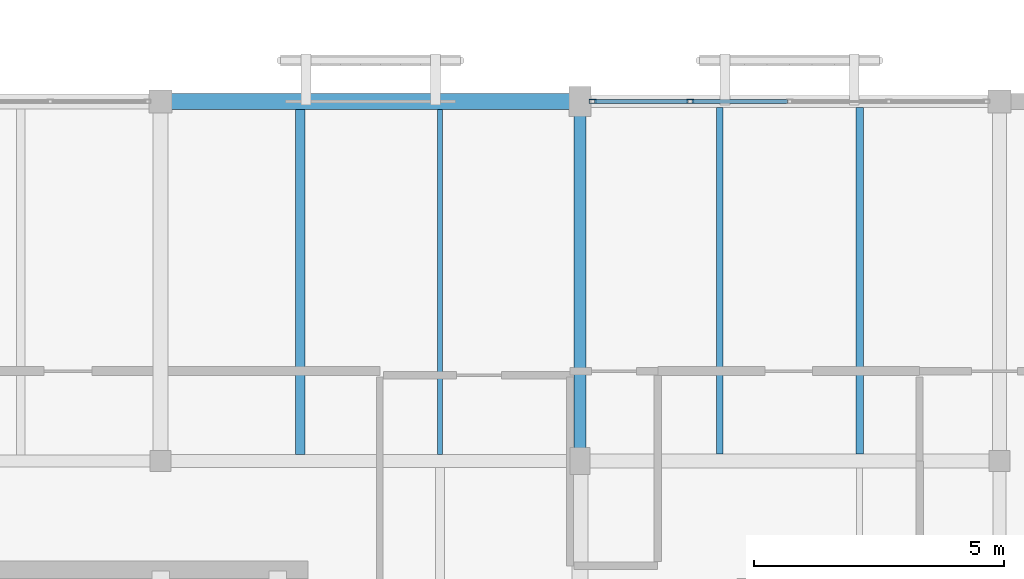
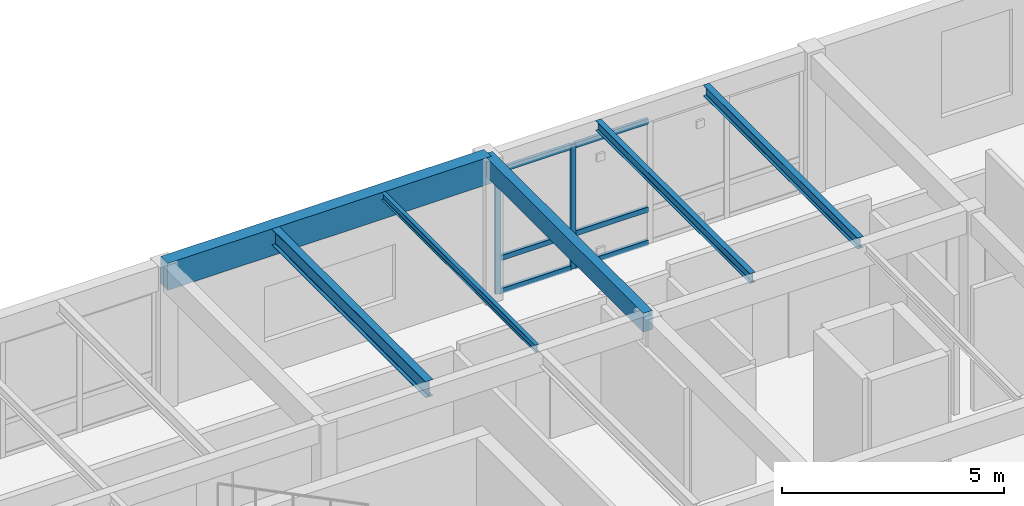
# One storey, part 48 of 217: 8 members, 6 beams, 1 element without a shape of its own.
"""IFC4 building model written with IfcOpenShell, lengths in metres."""

from ifc_helpers import new_model, si_unit, direction, frame, origin, origin_2d, place, context, subcontext, project, spatial, rectangle, hollow_rectangle, i_section, extrude, material, layer, layer_set, material_profile, profile_set, type_object, element, aggregate, save


model = new_model("IFC4")

# Units and contexts
model_context = context("Model", 3, precision=1e-05, world=origin(), true_north=direction((0.0, 1.0)))
body_context = subcontext(model_context, "Body", "Model", "MODEL_VIEW")
ifc_project = project(units=[si_unit("LENGTHUNIT", "METRE"), si_unit("AREAUNIT", "SQUARE_METRE"), si_unit("VOLUMEUNIT", "CUBIC_METRE"), si_unit("PLANEANGLEUNIT", "RADIAN"), si_unit("MASSUNIT", "GRAM", prefix="KILO")], contexts=[model_context])

# Site, building, storey
site_placement = place(None, origin())
site = spatial("IfcSite", under=ifc_project, at=site_placement, CompositionType="ELEMENT")
building_placement = place(site_placement, origin())
building = spatial("IfcBuilding", under=site, at=building_placement, Name="Mazaris Harbour Polytechnic", CompositionType="ELEMENT")
storey_placement = place(building_placement, frame((0.0, 0.0, 9.60009765625)))
storey = spatial("IfcBuildingStorey", under=building, at=storey_placement, Name="L02", CompositionType="ELEMENT", Elevation=9.60009765625)

# Curtain wall, members
ifc_material_1 = material(Name="Anodised Bronze Aluminium and Low-E Glass", Category="aluminium")
ifc_layer = layer(ifc_material_1, 0.159912109375, Name="Anodised Bronze Aluminium and Low-E Glass")
ifc_layer_set = layer_set([ifc_layer], Name="Anodised Bronze Aluminium and Low-E Glass")
curtain_wall_type = type_object("IfcCurtainWallType", Name="Cloister Court Curtain Wall", PredefinedType="NOTDEFINED", material=ifc_layer_set)
curtain_wall_placement = place(storey_placement, origin())
curtain_wall = element("IfcCurtainWall", 1, at=curtain_wall_placement, inside=storey, type_object=curtain_wall_type, Name="V3 L02 Curtain Wall 87", PredefinedType="NOTDEFINED")
ifc_material_2 = material(Name="Anodised Bronze Steel S355", Category="steel")
ifc_material_profile_1 = material_profile(ifc_material_2, hollow_rectangle(XDim=0.080078125, YDim=0.139892578125, WallThickness=0.00634765625, at=origin_2d()), Name="RHS 80x140x6.3")
ifc_profile_set_1 = profile_set([ifc_material_profile_1], Name="Anodised Bronze Steel S355")
member_type_1 = type_object("IfcMemberType", Name="Curtain Mullion RHS80x140", PredefinedType="MULLION", material=ifc_profile_set_1)
member_1_placement = place(storey_placement, frame((71.052001953125, 36.0, 0.0), z_axis=(0.0, 0.0, 1.0), x_axis=(0.0, 1.0, 0.0)))
member_1 = element("IfcMember", 2, at=member_1_placement, type_object=member_type_1, Name="CW-02 mullion 1", PredefinedType="MULLION", context=body_context, shape_type="SweptSolid", body=[
    extrude(hollow_rectangle(XDim=0.080078125, YDim=0.139892578125, WallThickness=0.00634765625, at=origin_2d()), origin(), (0.0, 0.0, 1.0), 3.40478515625),
])
member_2_placement = place(storey_placement, frame((73.00341796875, 36.0, 0.0), z_axis=(0.0, 0.0, 1.0), x_axis=(0.0, 1.0, 0.0)))
member_2 = element("IfcMember", 3, at=member_2_placement, type_object=member_type_1, Name="CW-02 mullion 2", PredefinedType="MULLION", context=body_context, shape_type="SweptSolid", body=[
    extrude(hollow_rectangle(XDim=0.080078125, YDim=0.139892578125, WallThickness=0.00634765625, at=origin_2d()), origin(), (0.0, 0.0, 1.0), 3.40478515625),
])
ifc_material_3 = material(Name="Anodised Bronze Steel S355", Category="steel")
ifc_material_profile_2 = material_profile(ifc_material_3, hollow_rectangle(XDim=0.080078125, YDim=0.139892578125, WallThickness=0.00634765625, at=origin_2d()), Name="RHS 80x140x6.3")
ifc_profile_set_2 = profile_set([ifc_material_profile_2], Name="Anodised Bronze Steel S355")
member_type_2 = type_object("IfcMemberType", Name="Curtain Transom RHS80x140", PredefinedType="USERDEFINED", material=ifc_profile_set_2)
member_3_placement = place(storey_placement, frame((71.092041015625, 36.0, 0.039794921875), z_axis=(1.0, 0.0, 0.0), x_axis=(0.0, 1.0, 0.0)))
member_3 = element("IfcMember", 4, at=member_3_placement, type_object=member_type_2, Name="CW-02 transom 1.1", ObjectType="TRANSOM", PredefinedType="USERDEFINED", context=body_context, shape_type="SweptSolid", body=[
    extrude(hollow_rectangle(XDim=0.080078125, YDim=0.139892578125, WallThickness=0.00634765625, at=origin_2d()), origin(), (0.0, 0.0, 1.0), 1.871337890625),
])
member_4_placement = place(storey_placement, frame((71.092041015625, 36.0, 0.949951171875), z_axis=(1.0, 0.0, 0.0), x_axis=(0.0, 1.0, 0.0)))
member_4 = element("IfcMember", 5, at=member_4_placement, type_object=member_type_2, Name="CW-02 transom 1.2", ObjectType="TRANSOM", PredefinedType="USERDEFINED", context=body_context, shape_type="SweptSolid", body=[
    extrude(hollow_rectangle(XDim=0.080078125, YDim=0.139892578125, WallThickness=0.00634765625, at=origin_2d()), origin(), (0.0, 0.0, 1.0), 1.871337890625),
])
member_5_placement = place(storey_placement, frame((71.092041015625, 36.0, 3.364990234375), z_axis=(1.0, 0.0, 0.0), x_axis=(0.0, 1.0, 0.0)))
member_5 = element("IfcMember", 6, at=member_5_placement, type_object=member_type_2, Name="CW-02 transom 1.3", ObjectType="TRANSOM", PredefinedType="USERDEFINED", context=body_context, shape_type="SweptSolid", body=[
    extrude(hollow_rectangle(XDim=0.080078125, YDim=0.139892578125, WallThickness=0.00634765625, at=origin_2d()), origin(), (0.0, 0.0, 1.0), 1.871337890625),
])
member_6_placement = place(storey_placement, frame((73.04345703125, 36.0, 0.039794921875), z_axis=(1.0, 0.0, 0.0), x_axis=(0.0, 1.0, 0.0)))
member_6 = element("IfcMember", 7, at=member_6_placement, type_object=member_type_2, Name="CW-02 transom 2.1", ObjectType="TRANSOM", PredefinedType="USERDEFINED", context=body_context, shape_type="SweptSolid", body=[
    extrude(hollow_rectangle(XDim=0.080078125, YDim=0.139892578125, WallThickness=0.00634765625, at=origin_2d()), origin(), (0.0, 0.0, 1.0), 1.91162109375),
])
member_7_placement = place(storey_placement, frame((73.04345703125, 36.0, 0.949951171875), z_axis=(1.0, 0.0, 0.0), x_axis=(0.0, 1.0, 0.0)))
member_7 = element("IfcMember", 8, at=member_7_placement, type_object=member_type_2, Name="CW-02 transom 2.2", ObjectType="TRANSOM", PredefinedType="USERDEFINED", context=body_context, shape_type="SweptSolid", body=[
    extrude(hollow_rectangle(XDim=0.080078125, YDim=0.139892578125, WallThickness=0.00634765625, at=origin_2d()), origin(), (0.0, 0.0, 1.0), 1.91162109375),
])
member_8_placement = place(storey_placement, frame((73.04345703125, 36.0, 3.364990234375), z_axis=(1.0, 0.0, 0.0), x_axis=(0.0, 1.0, 0.0)))
member_8 = element("IfcMember", 9, at=member_8_placement, type_object=member_type_2, Name="CW-02 transom 2.3", ObjectType="TRANSOM", PredefinedType="USERDEFINED", context=body_context, shape_type="SweptSolid", body=[
    extrude(hollow_rectangle(XDim=0.080078125, YDim=0.139892578125, WallThickness=0.00634765625, at=origin_2d()), origin(), (0.0, 0.0, 1.0), 1.91162109375),
])
aggregate(curtain_wall, [member_1, member_2, member_3, member_4, member_5, member_6, member_7, member_8])

# Beams
ifc_material_4 = material(Name="Glulam GL32h", Category="wood")
ifc_material_profile_3 = material_profile(ifc_material_4, rectangle(XDim=0.239990234375, YDim=0.52001953125, at=origin_2d()), Name="RECT240x520")
ifc_profile_set_3 = profile_set([ifc_material_profile_3], Name="Glulam GL32h")
beam_type_1 = type_object("IfcBeamType", Name="Glulam Girder 240x520", PredefinedType="BEAM", material=ifc_profile_set_3)
beam_1_placement = place(storey_placement, frame((70.800048828125, 28.800048828125, 3.6748046875), z_axis=(0.0, 1.0, 0.0), x_axis=(-1.0, 0.0, 0.0)))
element("IfcBeam", 10, at=beam_1_placement, inside=storey, type_object=beam_type_1, Name="V3 L02 Tie Girder 1070", PredefinedType="BEAM", context=body_context, shape_type="SweptSolid", body=[
    extrude(rectangle(XDim=0.239990234375, YDim=0.52001953125, at=origin_2d()), origin(), (0.0, 0.0, 1.0), 7.199951171875),
])
ifc_material_5 = material(Name="Glulam GL32h", Category="wood")
ifc_material_profile_4 = material_profile(ifc_material_5, rectangle(XDim=0.320068359375, YDim=0.739990234375, at=origin_2d()), Name="RECT320x740")
ifc_profile_set_4 = profile_set([ifc_material_profile_4], Name="Glulam GL32h")
beam_type_2 = type_object("IfcBeamType", Name="Glulam Girder 320x740 Exterior", PredefinedType="BEAM", material=ifc_profile_set_4)
beam_2_placement = place(storey_placement, frame((62.39990234375, 36.0, 3.56494140625), z_axis=(1.0, 0.0, 0.0), x_axis=(0.0, 1.0, 0.0)))
element("IfcBeam", 11, at=beam_2_placement, inside=storey, type_object=beam_type_2, Name="V3 L02 Girder 1064", PredefinedType="BEAM", context=body_context, shape_type="SweptSolid", body=[
    extrude(rectangle(XDim=0.320068359375, YDim=0.739990234375, at=origin_2d()), origin(), (0.0, 0.0, 1.0), 8.400146484375),
])
ifc_material_6 = material(Name="Steel S355", Category="steel")
ifc_material_profile_5 = material_profile(ifc_material_6, i_section(OverallWidth=0.10009765625, OverallDepth=0.199951171875, WebThickness=0.005615234375, FlangeThickness=0.008544921875, FilletRadius=0.011962890625, at=origin_2d()), Name="IPE 200")
ifc_profile_set_5 = profile_set([ifc_material_profile_5], Name="Steel S355")
beam_type_3 = type_object("IfcBeamType", Name="Steel Joist IPE200", PredefinedType="JOIST", material=ifc_profile_set_5)
beam_3_placement = place(storey_placement, frame((68.0, 28.929931640625, 3.8349609375), z_axis=(0.0, 1.0, 0.0), x_axis=(-1.0, 0.0, 0.0)))
element("IfcBeam", 12, at=beam_3_placement, inside=storey, type_object=beam_type_3, Name="V3 L02 Floor Joist 1078", PredefinedType="JOIST", context=body_context, shape_type="SweptSolid", body=[
    extrude(i_section(OverallWidth=0.10009765625, OverallDepth=0.199951171875, WebThickness=0.005615234375, FlangeThickness=0.008544921875, FilletRadius=0.011962890625, at=origin_2d()), origin(), (0.0, 0.0, 1.0), 6.91015625),
])
ifc_material_7 = material(Name="Steel S355", Category="steel")
ifc_material_profile_6 = material_profile(ifc_material_7, i_section(OverallWidth=0.135009765625, OverallDepth=0.27001953125, WebThickness=0.006591796875, FlangeThickness=0.01025390625, FilletRadius=0.014892578125, at=origin_2d()), Name="IPE 270")
ifc_profile_set_6 = profile_set([ifc_material_profile_6], Name="Steel S355")
beam_type_4 = type_object("IfcBeamType", Name="Steel Joist IPE270", PredefinedType="JOIST", material=ifc_profile_set_6)
beam_4_placement = place(storey_placement, frame((73.60009765625, 28.93994140625, 3.7998046875), z_axis=(0.0, 1.0, 0.0), x_axis=(-1.0, 0.0, 0.0)))
element("IfcBeam", 13, at=beam_4_placement, inside=storey, type_object=beam_type_4, Name="V3 L02 Floor Joist 1080", PredefinedType="JOIST", context=body_context, shape_type="SweptSolid", body=[
    extrude(i_section(OverallWidth=0.135009765625, OverallDepth=0.27001953125, WebThickness=0.006591796875, FlangeThickness=0.01025390625, FilletRadius=0.014892578125, at=origin_2d()), origin(), (0.0, 0.0, 1.0), 6.93994140625),
])
ifc_material_8 = material(Name="Steel S355", Category="steel")
ifc_material_profile_7 = material_profile(ifc_material_8, i_section(OverallWidth=0.14990234375, OverallDepth=0.300048828125, WebThickness=0.007080078125, FlangeThickness=0.0107421875, FilletRadius=0.014892578125, at=origin_2d()), Name="IPE 300")
ifc_profile_set_7 = profile_set([ifc_material_profile_7], Name="Steel S355")
beam_type_5 = type_object("IfcBeamType", Name="Steel Joist IPE300", PredefinedType="JOIST", material=ifc_profile_set_7)
beam_5_placement = place(storey_placement, frame((76.39990234375, 28.93994140625, 3.784912109375), z_axis=(0.0, 1.0, 0.0), x_axis=(-1.0, 0.0, 0.0)))
element("IfcBeam", 14, at=beam_5_placement, inside=storey, type_object=beam_type_5, Name="V3 L02 Floor Joist 1081", PredefinedType="JOIST", context=body_context, shape_type="SweptSolid", body=[
    extrude(i_section(OverallWidth=0.14990234375, OverallDepth=0.300048828125, WebThickness=0.007080078125, FlangeThickness=0.0107421875, FilletRadius=0.014892578125, at=origin_2d()), origin(), (0.0, 0.0, 1.0), 6.93994140625),
])
ifc_material_9 = material(Name="Steel S355", Category="steel")
ifc_material_profile_8 = material_profile(ifc_material_9, i_section(OverallWidth=0.18994140625, OverallDepth=0.449951171875, WebThickness=0.009521484375, FlangeThickness=0.0146484375, FilletRadius=0.02099609375, at=origin_2d()), Name="IPE 450")
ifc_profile_set_8 = profile_set([ifc_material_profile_8], Name="Steel S355")
beam_type_6 = type_object("IfcBeamType", Name="Steel Joist IPE450", PredefinedType="JOIST", material=ifc_profile_set_8)
beam_6_placement = place(storey_placement, frame((65.199951171875, 28.929931640625, 3.7099609375), z_axis=(0.0, 1.0, 0.0), x_axis=(-1.0, 0.0, 0.0)))
element("IfcBeam", 15, at=beam_6_placement, inside=storey, type_object=beam_type_6, Name="V3 L02 Floor Joist 1077", PredefinedType="JOIST", context=body_context, shape_type="SweptSolid", body=[
    extrude(i_section(OverallWidth=0.18994140625, OverallDepth=0.449951171875, WebThickness=0.009521484375, FlangeThickness=0.0146484375, FilletRadius=0.02099609375, at=origin_2d()), origin(), (0.0, 0.0, 1.0), 6.91015625),
])

save(model, "model.ifc")
